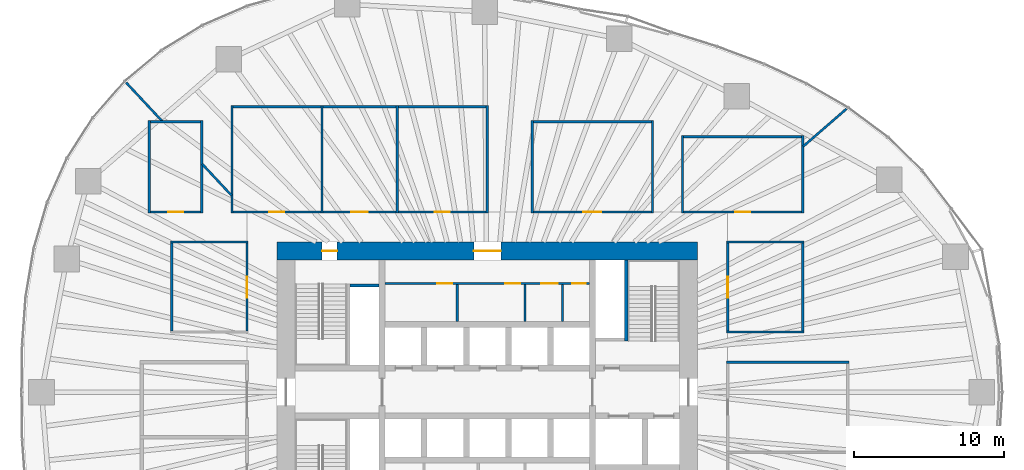
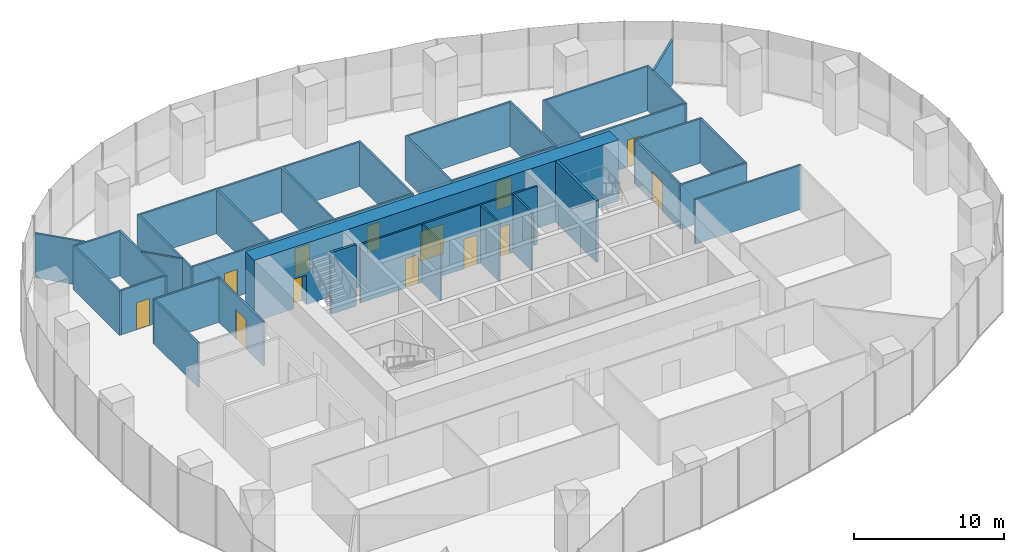
# One storey, part 11 of 20: 40 walls, 14 doors, 14 openings.
"""IFC4 building model written with IfcOpenShell, lengths in metres."""

from ifc_helpers import new_model, si_unit, direction, frame, frame_2d, origin, place, context, subcontext, project, spatial, rectangle, extrude, material, layer, layer_set, type_object, element, fill, save


model = new_model("IFC4")

# Units and contexts
model_context = context("Model", 3, precision=1e-05, world=origin(), true_north=direction((0.0, 1.0)))
body_context = subcontext(model_context, "Body", "Model", "MODEL_VIEW")
ifc_project = project(units=[si_unit("LENGTHUNIT", "METRE"), si_unit("AREAUNIT", "SQUARE_METRE"), si_unit("VOLUMEUNIT", "CUBIC_METRE"), si_unit("PLANEANGLEUNIT", "RADIAN"), si_unit("MASSUNIT", "GRAM", prefix="KILO")], contexts=[model_context])

# Site, building, storey
site_placement = place(None, origin())
site = spatial("IfcSite", under=ifc_project, at=site_placement, CompositionType="ELEMENT")
building_placement = place(site_placement, origin())
building = spatial("IfcBuilding", under=site, at=building_placement, Name="Ghaith Harvest Tower", CompositionType="ELEMENT")
storey_placement = place(building_placement, frame((0.0, 0.0, 80.0)))
storey = spatial("IfcBuildingStorey", under=building, at=storey_placement, Name="L16", CompositionType="ELEMENT", Elevation=80.0)

# Wall, openings, doors
ifc_material_1 = material(Name="Concrete blockwork, fair-faced", Category="masonry")
ifc_layer_1 = layer(ifc_material_1, 0.139892578125)
ifc_layer_set_1 = layer_set([ifc_layer_1], Name="CORE PARTITION 140")
wall_type_1 = type_object("IfcWallType", Name="CORE PARTITION 140", PredefinedType="PARTITIONING", material=ifc_layer_set_1)
wall_1_placement = place(storey_placement, frame((-6.800048828125, 7.22998046875, 0.0), z_axis=(0.0, 0.0, 1.0), x_axis=(1.0, 0.0, 0.0)))
wall_1 = element("IfcWall", 1, at=wall_1_placement, inside=storey, type_object=wall_type_1, Name="Core partition L16", PredefinedType="PARTITIONING", context=body_context, shape_type="SweptSolid", body=[
    extrude(rectangle(XDim=13.60009765625, YDim=0.139892578125, at=frame_2d((6.800048828125, 0.0))), origin(), (0.0, 0.0, 1.0), 4.75),
])
opening_1_placement = place(wall_1_placement, frame((3.47998046875, 0.0, 0.0)))
opening_1 = element("IfcOpeningElement", 2, at=opening_1_placement, cuts=wall_1, Name="Opening 16-008", PredefinedType="OPENING", context=body_context, shape_type="SweptSolid", body=[
    extrude(rectangle(XDim=1.0, YDim=2.39990234375, at=frame_2d((0.5, 1.199951171875))), frame((0.0, 0.080078125, 0.0), z_axis=(0.0, -1.0, 0.0), x_axis=(1.0, 0.0, 0.0)), (0.0, 0.0, 1.0), 0.159912109375),
])
opening_2_placement = place(wall_1_placement, frame((7.97998046875, 0.0, 0.0)))
opening_2 = element("IfcOpeningElement", 3, at=opening_2_placement, cuts=wall_1, Name="Opening 16-009", PredefinedType="OPENING", context=body_context, shape_type="SweptSolid", body=[
    extrude(rectangle(XDim=1.0, YDim=2.39990234375, at=frame_2d((0.5, 1.199951171875))), frame((0.0, 0.080078125, 0.0), z_axis=(0.0, -1.0, 0.0), x_axis=(1.0, 0.0, 0.0)), (0.0, 0.0, 1.0), 0.159912109375),
])
opening_3_placement = place(wall_1_placement, frame((10.3798828125, 0.0, 0.0)))
opening_3 = element("IfcOpeningElement", 4, at=opening_3_placement, cuts=wall_1, Name="Opening 16-010", PredefinedType="OPENING", context=body_context, shape_type="SweptSolid", body=[
    extrude(rectangle(XDim=1.10009765625, YDim=2.39990234375, at=frame_2d((0.550048828125, 1.199951171875))), frame((0.0, 0.080078125, 0.0), z_axis=(0.0, -1.0, 0.0), x_axis=(1.0, 0.0, 0.0)), (0.0, 0.0, 1.0), 0.159912109375),
])
opening_4_placement = place(wall_1_placement, frame((12.449951171875, 0.0, 0.0)))
opening_4 = element("IfcOpeningElement", 5, at=opening_4_placement, cuts=wall_1, Name="Opening 16-011", PredefinedType="OPENING", context=body_context, shape_type="SweptSolid", body=[
    extrude(rectangle(XDim=0.89990234375, YDim=2.39990234375, at=frame_2d((0.449951171875, 1.199951171875))), frame((0.0, 0.080078125, 0.0), z_axis=(0.0, -1.0, 0.0), x_axis=(1.0, 0.0, 0.0)), (0.0, 0.0, 1.0), 0.159912109375),
])
ifc_material_2 = material(Name="Steel fire door", Category="steel")
door_type_1 = type_object("IfcDoorType", Name="D3 FD90 1000x2400", OperationType="SINGLE_SWING_LEFT", PredefinedType="DOOR", material=ifc_material_2)
door_1_placement = place(opening_1_placement, origin())
door_1 = element("IfcDoor", 6, at=door_1_placement, inside=storey, type_object=door_type_1, Name="Male WC door", OperationType="SINGLE_SWING_LEFT", OverallHeight=2.39990234375, OverallWidth=1.0, PredefinedType="DOOR", context=body_context, shape_type="SweptSolid", body=[
    extrude(rectangle(XDim=1.0, YDim=2.39990234375, at=frame_2d((0.5, 1.199951171875))), frame((0.0, 0.02490234375, 0.0), z_axis=(0.0, -1.0, 0.0), x_axis=(1.0, 0.0, 0.0)), (0.0, 0.0, 1.0), 0.050048828125),
])
fill(opening_1, door_1)
door_2_placement = place(opening_2_placement, origin())
door_2 = element("IfcDoor", 7, at=door_2_placement, inside=storey, type_object=door_type_1, Name="Female WC door", OperationType="SINGLE_SWING_RIGHT", OverallHeight=2.39990234375, OverallWidth=1.0, PredefinedType="DOOR", context=body_context, shape_type="SweptSolid", body=[
    extrude(rectangle(XDim=1.0, YDim=2.39990234375, at=frame_2d((0.5, 1.199951171875))), frame((0.0, 0.02490234375, 0.0), z_axis=(0.0, -1.0, 0.0), x_axis=(1.0, 0.0, 0.0)), (0.0, 0.0, 1.0), 0.050048828125),
])
fill(opening_2, door_2)
ifc_material_3 = material(Name="Steel fire door", Category="steel")
door_type_2 = type_object("IfcDoorType", Name="D5 FD90 900x2400", OperationType="SINGLE_SWING_LEFT", PredefinedType="DOOR", material=ifc_material_3)
door_3_placement = place(opening_4_placement, origin())
door_3 = element("IfcDoor", 8, at=door_3_placement, inside=storey, type_object=door_type_2, Name="Cleaner's store door", OperationType="SINGLE_SWING_RIGHT", OverallHeight=2.39990234375, OverallWidth=0.89990234375, PredefinedType="DOOR", context=body_context, shape_type="SweptSolid", body=[
    extrude(rectangle(XDim=0.89990234375, YDim=2.39990234375, at=frame_2d((0.449951171875, 1.199951171875))), frame((0.0, 0.02490234375, 0.0), z_axis=(0.0, -1.0, 0.0), x_axis=(1.0, 0.0, 0.0)), (0.0, 0.0, 1.0), 0.050048828125),
])
fill(opening_4, door_3)
ifc_material_4 = material(Name="Steel fire door", Category="steel")
door_type_3 = type_object("IfcDoorType", Name="D9 FD90 1100x2400", OperationType="SINGLE_SWING_LEFT", PredefinedType="DOOR", material=ifc_material_4)
door_4_placement = place(opening_3_placement, origin())
door_4 = element("IfcDoor", 9, at=door_4_placement, inside=storey, type_object=door_type_3, Name="Accessible WC door", OperationType="SINGLE_SWING_RIGHT", OverallHeight=2.39990234375, OverallWidth=1.10009765625, PredefinedType="DOOR", context=body_context, shape_type="SweptSolid", body=[
    extrude(rectangle(XDim=1.10009765625, YDim=2.39990234375, at=frame_2d((0.550048828125, 1.199951171875))), frame((0.0, 0.02490234375, 0.0), z_axis=(0.0, -1.0, 0.0), x_axis=(1.0, 0.0, 0.0)), (0.0, 0.0, 1.0), 0.050048828125),
])
fill(opening_3, door_4)

# Walls
for number, where, z_axis, x_axis, name in (
    (10, (-2.0, 4.699951171875, 0.0), (0.0, 0.0, 1.0), (0.0, 1.0, 0.0), "Core partition L16"),
    (11, (2.5, 4.699951171875, 0.0), (0.0, 0.0, 1.0), (0.0, 1.0, 0.0), "Core partition L16"),
    (12, (5.0, 4.699951171875, 0.0), (0.0, 0.0, 1.0), (0.0, 1.0, 0.0), "Core partition L16"),
):
    element("IfcWall", number, at=place(storey_placement, frame(where, z_axis=z_axis, x_axis=x_axis)), inside=storey, type_object=wall_type_1, Name=name, PredefinedType="PARTITIONING", context=body_context, shape_type="SweptSolid", body=[
        extrude(rectangle(XDim=2.4599609375, YDim=0.139892578125, at=frame_2d((1.22998046875, 0.0))), origin(), (0.0, 0.0, 1.0), 4.75),
    ])

# Wall, openings, doors
ifc_material_5 = material(Name="Concrete C70/85", Category="concrete")
ifc_layer_2 = layer(ifc_material_5, 1.199951171875)
ifc_layer_set_2 = layer_set([ifc_layer_2], Name="CORE WALL CW1200")
wall_type_2 = type_object("IfcWallType", Name="CORE WALL CW1200", PredefinedType="SHEAR", material=ifc_layer_set_2)
wall_2_placement = place(storey_placement, frame((14.0, 9.39990234375, 0.0), z_axis=(0.0, 0.0, 1.0), x_axis=(-1.0, 0.0, 0.0)))
wall_2 = element("IfcWall", 13, at=wall_2_placement, inside=storey, type_object=wall_type_2, Name="Core wall N L16", PredefinedType="SHEAR", context=body_context, shape_type="SweptSolid", body=[
    extrude(rectangle(XDim=28.0, YDim=1.199951171875, at=frame_2d((14.0, 0.0))), origin(), (0.0, 0.0, 1.0), 5.0),
])
opening_5_placement = place(wall_2_placement, frame((24.0, 0.0, 0.0)))
opening_5 = element("IfcOpeningElement", 14, at=opening_5_placement, cuts=wall_2, Name="Opening 16-005", PredefinedType="OPENING", context=body_context, shape_type="SweptSolid", body=[
    extrude(rectangle(XDim=1.0, YDim=2.39990234375, at=frame_2d((0.5, 1.199951171875))), frame((0.0, 0.60986328125, 0.0), z_axis=(0.0, -1.0, 0.0), x_axis=(1.0, 0.0, 0.0)), (0.0, 0.0, 1.0), 1.219970703125),
])
opening_6_placement = place(wall_2_placement, frame((13.10009765625, 0.0, 0.0)))
opening_6 = element("IfcOpeningElement", 15, at=opening_6_placement, cuts=wall_2, Name="Opening 16-016", PredefinedType="OPENING", context=body_context, shape_type="SweptSolid", body=[
    extrude(rectangle(XDim=1.800048828125, YDim=2.39990234375, at=frame_2d((0.89990234375, 1.199951171875))), frame((0.0, 0.60986328125, 0.0), z_axis=(0.0, -1.0, 0.0), x_axis=(1.0, 0.0, 0.0)), (0.0, 0.0, 1.0), 1.219970703125),
])
door_5_placement = place(opening_5_placement, origin())
door_5 = element("IfcDoor", 16, at=door_5_placement, inside=storey, type_object=door_type_1, Name="Stair ST1 door", OperationType="SINGLE_SWING_RIGHT", OverallHeight=2.39990234375, OverallWidth=1.0, PredefinedType="DOOR", context=body_context, shape_type="SweptSolid", body=[
    extrude(rectangle(XDim=1.0, YDim=2.39990234375, at=frame_2d((0.5, 1.199951171875))), frame((0.0, 0.02490234375, 0.0), z_axis=(0.0, -1.0, 0.0), x_axis=(1.0, 0.0, 0.0)), (0.0, 0.0, 1.0), 0.050048828125),
])
fill(opening_5, door_5)
ifc_material_6 = material(Name="Steel fire door", Category="steel")
door_type_4 = type_object("IfcDoorType", Name="D4 FD90 PAIR 1800x2400", OperationType="DOUBLE_DOOR_SINGLE_SWING", PredefinedType="DOOR", material=ifc_material_6)
door_6_placement = place(opening_6_placement, origin())
door_6 = element("IfcDoor", 17, at=door_6_placement, inside=storey, type_object=door_type_4, Name="Core service corridor doors", OperationType="DOUBLE_DOOR_SINGLE_SWING", OverallHeight=2.39990234375, OverallWidth=1.800048828125, PredefinedType="DOOR", context=body_context, shape_type="SweptSolid", body=[
    extrude(rectangle(XDim=1.800048828125, YDim=2.39990234375, at=frame_2d((0.89990234375, 1.199951171875))), frame((0.0, 0.02490234375, 0.0), z_axis=(0.0, -1.0, 0.0), x_axis=(1.0, 0.0, 0.0)), (0.0, 0.0, 1.0), 0.050048828125),
])
fill(opening_6, door_6)

# Walls
ifc_material_7 = material(Name="Gypsum board on steel studs", Category="steel")
ifc_layer_3 = layer(ifc_material_7, 0.14990234375)
ifc_layer_set_3 = layer_set([ifc_layer_3], Name="PARTITION 150")
wall_type_3 = type_object("IfcWallType", Name="PARTITION 150", PredefinedType="PARTITIONING", material=ifc_layer_set_3)
wall_3_placement = place(storey_placement, frame((15.925048828125, 2.0, 0.0), z_axis=(0.0, 0.0, 1.0), x_axis=(1.0, 0.0, 0.0)))
element("IfcWall", 18, at=wall_3_placement, inside=storey, type_object=wall_type_3, Name="Partition L16 row E3 cross wall 3", PredefinedType="PARTITIONING", context=body_context, shape_type="SweptSolid", body=[
    extrude(rectangle(XDim=8.14990234375, YDim=0.14990234375, at=frame_2d((4.074951171875, 0.0))), origin(), (0.0, 0.0, 1.0), 3.60009765625),
])
for number, where, z_axis, x_axis, name in (
    (19, (-17.0, 11.925048828125, 0.0), (0.0, 0.0, 1.0), (0.0, 1.0, 0.0), "Partition L16 row N4 cross wall 1"),
    (20, (-11.0, 11.925048828125, 0.0), (0.0, 0.0, 1.0), (0.0, 1.0, 0.0), "Partition L16 row N4 cross wall 2"),
    (21, (-6.0, 11.925048828125, 0.0), (0.0, 0.0, 1.0), (0.0, 1.0, 0.0), "Partition L16 row N4 cross wall 3"),
    (22, (0.0, 11.925048828125, 0.0), (0.0, 0.0, 1.0), (0.0, 1.0, 0.0), "Partition L16 row N4 cross wall 4"),
):
    element("IfcWall", number, at=place(storey_placement, frame(where, z_axis=z_axis, x_axis=x_axis)), inside=storey, type_object=wall_type_3, Name=name, PredefinedType="PARTITIONING", context=body_context, shape_type="SweptSolid", body=[
        extrude(rectangle(XDim=7.14990234375, YDim=0.14990234375, at=frame_2d((3.574951171875, 0.0))), origin(), (0.0, 0.0, 1.0), 3.60009765625),
    ])

# Wall, opening, door
wall_4_placement = place(storey_placement, frame((-16.925048828125, 12.0, 0.0), z_axis=(0.0, 0.0, 1.0), x_axis=(1.0, 0.0, 0.0)))
wall_4 = element("IfcWall", 23, at=wall_4_placement, inside=storey, type_object=wall_type_3, Name="Partition L16-07", PredefinedType="PARTITIONING", context=body_context, shape_type="SweptSolid", body=[
    extrude(rectangle(XDim=5.85009765625, YDim=0.14990234375, at=frame_2d((2.925048828125, 0.0))), origin(), (0.0, 0.0, 1.0), 3.60009765625),
])
opening_7_placement = place(wall_4_placement, frame((2.425048828125, 0.0, 0.0)))
opening_7 = element("IfcOpeningElement", 24, at=opening_7_placement, cuts=wall_4, Name="Opening 16-031", PredefinedType="OPENING", context=body_context, shape_type="SweptSolid", body=[
    extrude(rectangle(XDim=1.0, YDim=2.199951171875, at=frame_2d((0.5, 1.10009765625))), frame((0.0, 0.0849609375, 0.0), z_axis=(0.0, -1.0, 0.0), x_axis=(1.0, 0.0, 0.0)), (0.0, 0.0, 1.0), 0.169921875),
])
ifc_material_8 = material(Name="Timber door", Category="wood")
door_type_5 = type_object("IfcDoorType", Name="D1 SINGLE 1000x2200", OperationType="SINGLE_SWING_LEFT", PredefinedType="DOOR", material=ifc_material_8)
door_7_placement = place(opening_7_placement, origin())
door_7 = element("IfcDoor", 25, at=door_7_placement, inside=storey, type_object=door_type_5, Name="Pollination room door", OperationType="SINGLE_SWING_LEFT", OverallHeight=2.199951171875, OverallWidth=1.0, PredefinedType="DOOR", context=body_context, shape_type="SweptSolid", body=[
    extrude(rectangle(XDim=1.0, YDim=2.199951171875, at=frame_2d((0.5, 1.10009765625))), frame((0.0, 0.02490234375, 0.0), z_axis=(0.0, -1.0, 0.0), x_axis=(1.0, 0.0, 0.0)), (0.0, 0.0, 1.0), 0.050048828125),
])
fill(opening_7, door_7)

# Wall
wall_5_placement = place(storey_placement, frame((-16.925048828125, 19.0, 0.0), z_axis=(0.0, 0.0, 1.0), x_axis=(1.0, 0.0, 0.0)))
element("IfcWall", 26, at=wall_5_placement, inside=storey, type_object=wall_type_3, Name="Partition L16-07", PredefinedType="PARTITIONING", context=body_context, shape_type="SweptSolid", body=[
    extrude(rectangle(XDim=5.85009765625, YDim=0.14990234375, at=frame_2d((2.925048828125, 0.0))), origin(), (0.0, 0.0, 1.0), 3.60009765625),
])

# Wall, opening, door
wall_6_placement = place(storey_placement, frame((-10.925048828125, 12.0, 0.0), z_axis=(0.0, 0.0, 1.0), x_axis=(1.0, 0.0, 0.0)))
wall_6 = element("IfcWall", 27, at=wall_6_placement, inside=storey, type_object=wall_type_3, Name="Partition L16-08", PredefinedType="PARTITIONING", context=body_context, shape_type="SweptSolid", body=[
    extrude(rectangle(XDim=4.85009765625, YDim=0.14990234375, at=frame_2d((2.425048828125, 0.0))), origin(), (0.0, 0.0, 1.0), 3.60009765625),
])
opening_8_placement = place(wall_6_placement, frame((1.875, 0.0, 0.0)))
opening_8 = element("IfcOpeningElement", 28, at=opening_8_placement, cuts=wall_6, Name="Opening 16-032", PredefinedType="OPENING", context=body_context, shape_type="SweptSolid", body=[
    extrude(rectangle(XDim=1.10009765625, YDim=2.300048828125, at=frame_2d((0.550048828125, 1.14990234375))), frame((0.0, 0.0849609375, 0.0), z_axis=(0.0, -1.0, 0.0), x_axis=(1.0, 0.0, 0.0)), (0.0, 0.0, 1.0), 0.169921875),
])
ifc_material_9 = material(Name="Timber-framed glazed door", Category="wood")
door_type_6 = type_object("IfcDoorType", Name="D12 GLAZED OFFICE 1100x2300", OperationType="SINGLE_SWING_LEFT", PredefinedType="DOOR", material=ifc_material_9)
door_8_placement = place(opening_8_placement, origin())
door_8 = element("IfcDoor", 29, at=door_8_placement, inside=storey, type_object=door_type_6, Name="Crop office door", OperationType="SINGLE_SWING_LEFT", OverallHeight=2.300048828125, OverallWidth=1.10009765625, PredefinedType="DOOR", context=body_context, shape_type="SweptSolid", body=[
    extrude(rectangle(XDim=1.10009765625, YDim=2.300048828125, at=frame_2d((0.550048828125, 1.14990234375))), frame((0.0, 0.02490234375, 0.0), z_axis=(0.0, -1.0, 0.0), x_axis=(1.0, 0.0, 0.0)), (0.0, 0.0, 1.0), 0.050048828125),
])
fill(opening_8, door_8)

# Wall
wall_7_placement = place(storey_placement, frame((-10.925048828125, 19.0, 0.0), z_axis=(0.0, 0.0, 1.0), x_axis=(1.0, 0.0, 0.0)))
element("IfcWall", 30, at=wall_7_placement, inside=storey, type_object=wall_type_3, Name="Partition L16-08", PredefinedType="PARTITIONING", context=body_context, shape_type="SweptSolid", body=[
    extrude(rectangle(XDim=4.85009765625, YDim=0.14990234375, at=frame_2d((2.425048828125, 0.0))), origin(), (0.0, 0.0, 1.0), 3.60009765625),
])

# Wall, opening, door
wall_8_placement = place(storey_placement, frame((-5.925048828125, 12.0, 0.0), z_axis=(0.0, 0.0, 1.0), x_axis=(1.0, 0.0, 0.0)))
wall_8 = element("IfcWall", 31, at=wall_8_placement, inside=storey, type_object=wall_type_3, Name="Partition L16-09", PredefinedType="PARTITIONING", context=body_context, shape_type="SweptSolid", body=[
    extrude(rectangle(XDim=5.85009765625, YDim=0.14990234375, at=frame_2d((2.925048828125, 0.0))), origin(), (0.0, 0.0, 1.0), 3.60009765625),
])
opening_9_placement = place(wall_8_placement, frame((2.425048828125, 0.0, 0.0)))
opening_9 = element("IfcOpeningElement", 32, at=opening_9_placement, cuts=wall_8, Name="Opening 16-033", PredefinedType="OPENING", context=body_context, shape_type="SweptSolid", body=[
    extrude(rectangle(XDim=1.0, YDim=2.199951171875, at=frame_2d((0.5, 1.10009765625))), frame((0.0, 0.0849609375, 0.0), z_axis=(0.0, -1.0, 0.0), x_axis=(1.0, 0.0, 0.0)), (0.0, 0.0, 1.0), 0.169921875),
])
door_9_placement = place(opening_9_placement, origin())
door_9 = element("IfcDoor", 33, at=door_9_placement, inside=storey, type_object=door_type_5, Name="Staff room door", OperationType="SINGLE_SWING_LEFT", OverallHeight=2.199951171875, OverallWidth=1.0, PredefinedType="DOOR", context=body_context, shape_type="SweptSolid", body=[
    extrude(rectangle(XDim=1.0, YDim=2.199951171875, at=frame_2d((0.5, 1.10009765625))), frame((0.0, 0.02490234375, 0.0), z_axis=(0.0, -1.0, 0.0), x_axis=(1.0, 0.0, 0.0)), (0.0, 0.0, 1.0), 0.050048828125),
])
fill(opening_9, door_9)

# Walls
wall_9_placement = place(storey_placement, frame((-5.925048828125, 19.0, 0.0), z_axis=(0.0, 0.0, 1.0), x_axis=(1.0, 0.0, 0.0)))
element("IfcWall", 34, at=wall_9_placement, inside=storey, type_object=wall_type_3, Name="Partition L16-09", PredefinedType="PARTITIONING", context=body_context, shape_type="SweptSolid", body=[
    extrude(rectangle(XDim=5.85009765625, YDim=0.14990234375, at=frame_2d((2.925048828125, 0.0))), origin(), (0.0, 0.0, 1.0), 3.60009765625),
])
for number, where, z_axis, x_axis, name in (
    (35, (3.0, 11.925048828125, 0.0), (0.0, 0.0, 1.0), (0.0, 1.0, 0.0), "Partition L16 row N5 cross wall 1"),
    (36, (11.0, 11.925048828125, 0.0), (0.0, 0.0, 1.0), (0.0, 1.0, 0.0), "Partition L16 row N5 cross wall 2"),
):
    element("IfcWall", number, at=place(storey_placement, frame(where, z_axis=z_axis, x_axis=x_axis)), inside=storey, type_object=wall_type_3, Name=name, PredefinedType="PARTITIONING", context=body_context, shape_type="SweptSolid", body=[
        extrude(rectangle(XDim=6.14990234375, YDim=0.14990234375, at=frame_2d((3.074951171875, 0.0))), origin(), (0.0, 0.0, 1.0), 3.60009765625),
    ])

# Wall, opening, door
wall_10_placement = place(storey_placement, frame((3.074951171875, 12.0, 0.0), z_axis=(0.0, 0.0, 1.0), x_axis=(1.0, 0.0, 0.0)))
wall_10 = element("IfcWall", 37, at=wall_10_placement, inside=storey, type_object=wall_type_3, Name="Partition L16-10", PredefinedType="PARTITIONING", context=body_context, shape_type="SweptSolid", body=[
    extrude(rectangle(XDim=7.85009765625, YDim=0.14990234375, at=frame_2d((3.925048828125, 0.0))), origin(), (0.0, 0.0, 1.0), 3.60009765625),
])
opening_10_placement = place(wall_10_placement, frame((3.324951171875, 0.0, 0.0)))
opening_10 = element("IfcOpeningElement", 38, at=opening_10_placement, cuts=wall_10, Name="Opening 16-034", PredefinedType="OPENING", context=body_context, shape_type="SweptSolid", body=[
    extrude(rectangle(XDim=1.199951171875, YDim=2.300048828125, at=frame_2d((0.60009765625, 1.14990234375))), frame((0.0, 0.0849609375, 0.0), z_axis=(0.0, -1.0, 0.0), x_axis=(1.0, 0.0, 0.0)), (0.0, 0.0, 1.0), 0.169921875),
])
ifc_material_10 = material(Name="Timber door with vision panel", Category="wood")
door_type_7 = type_object("IfcDoorType", Name="D15 LABORATORY 1200x2300", OperationType="SINGLE_SWING_LEFT", PredefinedType="DOOR", material=ifc_material_10)
door_10_placement = place(opening_10_placement, origin())
door_10 = element("IfcDoor", 39, at=door_10_placement, inside=storey, type_object=door_type_7, Name="Quality laboratory door", OperationType="SINGLE_SWING_LEFT", OverallHeight=2.300048828125, OverallWidth=1.199951171875, PredefinedType="DOOR", context=body_context, shape_type="SweptSolid", body=[
    extrude(rectangle(XDim=1.199951171875, YDim=2.300048828125, at=frame_2d((0.60009765625, 1.14990234375))), frame((0.0, 0.02490234375, 0.0), z_axis=(0.0, -1.0, 0.0), x_axis=(1.0, 0.0, 0.0)), (0.0, 0.0, 1.0), 0.050048828125),
])
fill(opening_10, door_10)

# Walls
wall_11_placement = place(storey_placement, frame((3.074951171875, 18.0, 0.0), z_axis=(0.0, 0.0, 1.0), x_axis=(1.0, 0.0, 0.0)))
element("IfcWall", 40, at=wall_11_placement, inside=storey, type_object=wall_type_3, Name="Partition L16-10", PredefinedType="PARTITIONING", context=body_context, shape_type="SweptSolid", body=[
    extrude(rectangle(XDim=7.85009765625, YDim=0.14990234375, at=frame_2d((3.925048828125, 0.0))), origin(), (0.0, 0.0, 1.0), 3.60009765625),
])
for number, where, z_axis, x_axis, name in (
    (41, (13.0, 11.925048828125, 0.0), (0.0, 0.0, 1.0), (0.0, 1.0, 0.0), "Partition L16 row N7 cross wall 1"),
    (42, (21.0, 11.925048828125, 0.0), (0.0, 0.0, 1.0), (0.0, 1.0, 0.0), "Partition L16 row N7 cross wall 2"),
):
    element("IfcWall", number, at=place(storey_placement, frame(where, z_axis=z_axis, x_axis=x_axis)), inside=storey, type_object=wall_type_3, Name=name, PredefinedType="PARTITIONING", context=body_context, shape_type="SweptSolid", body=[
        extrude(rectangle(XDim=5.14990234375, YDim=0.14990234375, at=frame_2d((2.574951171875, 0.0))), origin(), (0.0, 0.0, 1.0), 3.60009765625),
    ])

# Wall, opening, door
wall_12_placement = place(storey_placement, frame((13.074951171875, 12.0, 0.0), z_axis=(0.0, 0.0, 1.0), x_axis=(1.0, 0.0, 0.0)))
wall_12 = element("IfcWall", 43, at=wall_12_placement, inside=storey, type_object=wall_type_3, Name="Partition L16-13", PredefinedType="PARTITIONING", context=body_context, shape_type="SweptSolid", body=[
    extrude(rectangle(XDim=7.85009765625, YDim=0.14990234375, at=frame_2d((3.925048828125, 0.0))), origin(), (0.0, 0.0, 1.0), 3.60009765625),
])
opening_11_placement = place(wall_12_placement, frame((3.425048828125, 0.0, 0.0)))
opening_11 = element("IfcOpeningElement", 44, at=opening_11_placement, cuts=wall_12, Name="Opening 16-037", PredefinedType="OPENING", context=body_context, shape_type="SweptSolid", body=[
    extrude(rectangle(XDim=1.0, YDim=2.199951171875, at=frame_2d((0.5, 1.10009765625))), frame((0.0, 0.0849609375, 0.0), z_axis=(0.0, -1.0, 0.0), x_axis=(1.0, 0.0, 0.0)), (0.0, 0.0, 1.0), 0.169921875),
])
door_11_placement = place(opening_11_placement, origin())
door_11 = element("IfcDoor", 45, at=door_11_placement, inside=storey, type_object=door_type_5, Name="Seedling room door", OperationType="SINGLE_SWING_LEFT", OverallHeight=2.199951171875, OverallWidth=1.0, PredefinedType="DOOR", context=body_context, shape_type="SweptSolid", body=[
    extrude(rectangle(XDim=1.0, YDim=2.199951171875, at=frame_2d((0.5, 1.10009765625))), frame((0.0, 0.02490234375, 0.0), z_axis=(0.0, -1.0, 0.0), x_axis=(1.0, 0.0, 0.0)), (0.0, 0.0, 1.0), 0.050048828125),
])
fill(opening_11, door_11)

# Walls
wall_13_placement = place(storey_placement, frame((13.074951171875, 17.0, 0.0), z_axis=(0.0, 0.0, 1.0), x_axis=(1.0, 0.0, 0.0)))
element("IfcWall", 46, at=wall_13_placement, inside=storey, type_object=wall_type_3, Name="Partition L16-13", PredefinedType="PARTITIONING", context=body_context, shape_type="SweptSolid", body=[
    extrude(rectangle(XDim=7.85009765625, YDim=0.14990234375, at=frame_2d((3.925048828125, 0.0))), origin(), (0.0, 0.0, 1.0), 3.60009765625),
])
for number, where, z_axis, x_axis, name in (
    (47, (-22.5, 11.925048828125, 0.0), (0.0, 0.0, 1.0), (0.0, 1.0, 0.0), "Partition L16 row N8 cross wall 1"),
    (48, (-19.0, 11.925048828125, 0.0), (0.0, 0.0, 1.0), (0.0, 1.0, 0.0), "Partition L16 row N8 cross wall 2"),
):
    element("IfcWall", number, at=place(storey_placement, frame(where, z_axis=z_axis, x_axis=x_axis)), inside=storey, type_object=wall_type_3, Name=name, PredefinedType="PARTITIONING", context=body_context, shape_type="SweptSolid", body=[
        extrude(rectangle(XDim=6.14990234375, YDim=0.14990234375, at=frame_2d((3.074951171875, 0.0))), origin(), (0.0, 0.0, 1.0), 3.60009765625),
    ])

# Wall, opening, door
wall_14_placement = place(storey_placement, frame((-22.425048828125, 12.0, 0.0), z_axis=(0.0, 0.0, 1.0), x_axis=(1.0, 0.0, 0.0)))
wall_14 = element("IfcWall", 49, at=wall_14_placement, inside=storey, type_object=wall_type_3, Name="Partition L16-14", PredefinedType="PARTITIONING", context=body_context, shape_type="SweptSolid", body=[
    extrude(rectangle(XDim=3.35009765625, YDim=0.14990234375, at=frame_2d((1.675048828125, 0.0))), origin(), (0.0, 0.0, 1.0), 3.60009765625),
])
opening_12_placement = place(wall_14_placement, frame((1.175048828125, 0.0, 0.0)))
opening_12 = element("IfcOpeningElement", 50, at=opening_12_placement, cuts=wall_14, Name="Opening 16-038", PredefinedType="OPENING", context=body_context, shape_type="SweptSolid", body=[
    extrude(rectangle(XDim=1.0, YDim=2.199951171875, at=frame_2d((0.5, 1.10009765625))), frame((0.0, 0.0849609375, 0.0), z_axis=(0.0, -1.0, 0.0), x_axis=(1.0, 0.0, 0.0)), (0.0, 0.0, 1.0), 0.169921875),
])
door_12_placement = place(opening_12_placement, origin())
door_12 = element("IfcDoor", 51, at=door_12_placement, inside=storey, type_object=door_type_5, Name="Store door", OperationType="SINGLE_SWING_LEFT", OverallHeight=2.199951171875, OverallWidth=1.0, PredefinedType="DOOR", context=body_context, shape_type="SweptSolid", body=[
    extrude(rectangle(XDim=1.0, YDim=2.199951171875, at=frame_2d((0.5, 1.10009765625))), frame((0.0, 0.02490234375, 0.0), z_axis=(0.0, -1.0, 0.0), x_axis=(1.0, 0.0, 0.0)), (0.0, 0.0, 1.0), 0.050048828125),
])
fill(opening_12, door_12)

# Walls
wall_15_placement = place(storey_placement, frame((-22.425048828125, 18.0, 0.0), z_axis=(0.0, 0.0, 1.0), x_axis=(1.0, 0.0, 0.0)))
element("IfcWall", 52, at=wall_15_placement, inside=storey, type_object=wall_type_3, Name="Partition L16-14", PredefinedType="PARTITIONING", context=body_context, shape_type="SweptSolid", body=[
    extrude(rectangle(XDim=3.35009765625, YDim=0.14990234375, at=frame_2d((1.675048828125, 0.0))), origin(), (0.0, 0.0, 1.0), 3.60009765625),
])
for number, where, z_axis, x_axis, name in (
    (53, (15.925048828125, 4.0, 0.0), (0.0, 0.0, 1.0), (1.0, 0.0, 0.0), "Partition L16 row E9 cross wall 1"),
    (54, (15.925048828125, 10.0, 0.0), (0.0, 0.0, 1.0), (1.0, 0.0, 0.0), "Partition L16 row E9 cross wall 2"),
):
    element("IfcWall", number, at=place(storey_placement, frame(where, z_axis=z_axis, x_axis=x_axis)), inside=storey, type_object=wall_type_3, Name=name, PredefinedType="PARTITIONING", context=body_context, shape_type="SweptSolid", body=[
        extrude(rectangle(XDim=5.14990234375, YDim=0.14990234375, at=frame_2d((2.574951171875, 0.0))), origin(), (0.0, 0.0, 1.0), 3.60009765625),
    ])

# Wall, opening, door
wall_16_placement = place(storey_placement, frame((16.0, 4.074951171875, 0.0), z_axis=(0.0, 0.0, 1.0), x_axis=(0.0, 1.0, 0.0)))
wall_16 = element("IfcWall", 55, at=wall_16_placement, inside=storey, type_object=wall_type_3, Name="Partition L16-15", PredefinedType="PARTITIONING", context=body_context, shape_type="SweptSolid", body=[
    extrude(rectangle(XDim=5.85009765625, YDim=0.14990234375, at=frame_2d((2.925048828125, 0.0))), origin(), (0.0, 0.0, 1.0), 3.60009765625),
])
opening_13_placement = place(wall_16_placement, frame((2.22509765625, 0.0, 0.0)))
opening_13 = element("IfcOpeningElement", 56, at=opening_13_placement, cuts=wall_16, Name="Opening 16-039", PredefinedType="OPENING", context=body_context, shape_type="SweptSolid", body=[
    extrude(rectangle(XDim=1.39990234375, YDim=2.39990234375, at=frame_2d((0.699951171875, 1.199951171875))), frame((0.0, 0.0849609375, 0.0), z_axis=(0.0, -1.0, 0.0), x_axis=(1.0, 0.0, 0.0)), (0.0, 0.0, 1.0), 0.169921875),
])
ifc_material_11 = material(Name="Stainless steel faced door pair", Category="steel")
door_type_8 = type_object("IfcDoorType", Name="D14 HYGIENE PAIR 1400x2400", OperationType="DOUBLE_DOOR_DOUBLE_SWING", PredefinedType="DOOR", material=ifc_material_11)
door_13_placement = place(opening_13_placement, origin())
door_13 = element("IfcDoor", 57, at=door_13_placement, inside=storey, type_object=door_type_8, Name="Dispatch store door", OperationType="DOUBLE_DOOR_DOUBLE_SWING", OverallHeight=2.39990234375, OverallWidth=1.39990234375, PredefinedType="DOOR", context=body_context, shape_type="SweptSolid", body=[
    extrude(rectangle(XDim=1.39990234375, YDim=2.39990234375, at=frame_2d((0.699951171875, 1.199951171875))), frame((0.0, 0.02490234375, 0.0), z_axis=(0.0, -1.0, 0.0), x_axis=(1.0, 0.0, 0.0)), (0.0, 0.0, 1.0), 0.050048828125),
])
fill(opening_13, door_13)

# Walls
wall_17_placement = place(storey_placement, frame((21.0, 4.074951171875, 0.0), z_axis=(0.0, 0.0, 1.0), x_axis=(0.0, 1.0, 0.0)))
element("IfcWall", 58, at=wall_17_placement, inside=storey, type_object=wall_type_3, Name="Partition L16-15", PredefinedType="PARTITIONING", context=body_context, shape_type="SweptSolid", body=[
    extrude(rectangle(XDim=5.85009765625, YDim=0.14990234375, at=frame_2d((2.925048828125, 0.0))), origin(), (0.0, 0.0, 1.0), 3.60009765625),
])
wall_18_placement = place(storey_placement, frame((-15.925048828125, 10.0, 0.0), z_axis=(0.0, 0.0, 1.0), x_axis=(-1.0, 0.0, 0.0)))
element("IfcWall", 59, at=wall_18_placement, inside=storey, type_object=wall_type_3, Name="Partition L16 row W10 cross wall 2", PredefinedType="PARTITIONING", context=body_context, shape_type="SweptSolid", body=[
    extrude(rectangle(XDim=5.14990234375, YDim=0.14990234375, at=frame_2d((2.574951171875, 0.0))), origin(), (0.0, 0.0, 1.0), 3.60009765625),
])

# Wall, opening, door
wall_19_placement = place(storey_placement, frame((-16.0, 4.074951171875, 0.0), z_axis=(0.0, 0.0, 1.0), x_axis=(0.0, 1.0, 0.0)))
wall_19 = element("IfcWall", 60, at=wall_19_placement, inside=storey, type_object=wall_type_3, Name="Partition L16-16", PredefinedType="PARTITIONING", context=body_context, shape_type="SweptSolid", body=[
    extrude(rectangle(XDim=5.85009765625, YDim=0.14990234375, at=frame_2d((2.925048828125, 0.0))), origin(), (0.0, 0.0, 1.0), 3.60009765625),
])
opening_14_placement = place(wall_19_placement, frame((2.22509765625, 0.0, 0.0)))
opening_14 = element("IfcOpeningElement", 61, at=opening_14_placement, cuts=wall_19, Name="Opening 16-040", PredefinedType="OPENING", context=body_context, shape_type="SweptSolid", body=[
    extrude(rectangle(XDim=1.39990234375, YDim=2.39990234375, at=frame_2d((0.699951171875, 1.199951171875))), frame((0.0, 0.0849609375, 0.0), z_axis=(0.0, -1.0, 0.0), x_axis=(1.0, 0.0, 0.0)), (0.0, 0.0, 1.0), 0.169921875),
])
door_14_placement = place(opening_14_placement, origin())
door_14 = element("IfcDoor", 62, at=door_14_placement, inside=storey, type_object=door_type_8, Name="Tray wash room door", OperationType="DOUBLE_DOOR_DOUBLE_SWING", OverallHeight=2.39990234375, OverallWidth=1.39990234375, PredefinedType="DOOR", context=body_context, shape_type="SweptSolid", body=[
    extrude(rectangle(XDim=1.39990234375, YDim=2.39990234375, at=frame_2d((0.699951171875, 1.199951171875))), frame((0.0, 0.02490234375, 0.0), z_axis=(0.0, -1.0, 0.0), x_axis=(1.0, 0.0, 0.0)), (0.0, 0.0, 1.0), 0.050048828125),
])
fill(opening_14, door_14)

# Walls
wall_20_placement = place(storey_placement, frame((-21.0, 4.074951171875, 0.0), z_axis=(0.0, 0.0, 1.0), x_axis=(0.0, 1.0, 0.0)))
element("IfcWall", 63, at=wall_20_placement, inside=storey, type_object=wall_type_3, Name="Partition L16-16", PredefinedType="PARTITIONING", context=body_context, shape_type="SweptSolid", body=[
    extrude(rectangle(XDim=5.85009765625, YDim=0.14990234375, at=frame_2d((2.925048828125, 0.0))), origin(), (0.0, 0.0, 1.0), 3.60009765625),
])
wall_21_placement = place(storey_placement, frame((-21.621826171875, 18.02001953125, 0.0), z_axis=(0.0, 0.0, 1.0), x_axis=(-0.682522451791, 0.730864626864, 0.0)))
element("IfcWall", 64, at=wall_21_placement, inside=storey, type_object=wall_type_3, Name="Partition L16 zone division", PredefinedType="PARTITIONING", context=body_context, shape_type="SweptSolid", body=[
    extrude(rectangle(XDim=3.53515625, YDim=0.14990234375, at=frame_2d((1.767578125, 0.0))), origin(), (0.0, 0.0, 1.0), 3.60009765625),
])
wall_22_placement = place(storey_placement, frame((-17.02001953125, 13.09228515625, 0.0), z_axis=(0.0, 0.0, 1.0), x_axis=(-0.682506029746, 0.730879962347, 0.0)))
element("IfcWall", 65, at=wall_22_placement, inside=storey, type_object=wall_type_3, Name="Partition L16 zone division", PredefinedType="PARTITIONING", context=body_context, shape_type="SweptSolid", body=[
    extrude(rectangle(XDim=2.871826171875, YDim=0.14990234375, at=frame_2d((1.43603515625, 0.0))), origin(), (0.0, 0.0, 1.0), 3.60009765625),
])
wall_23_placement = place(storey_placement, frame((21.02001953125, 16.35400390625, 0.0), z_axis=(0.0, 0.0, 1.0), x_axis=(0.755425653008, 0.655234372402, 0.0)))
element("IfcWall", 66, at=wall_23_placement, inside=storey, type_object=wall_type_3, Name="Partition L16 zone division", PredefinedType="PARTITIONING", context=body_context, shape_type="SweptSolid", body=[
    extrude(rectangle(XDim=3.8232421875, YDim=0.14990234375, at=frame_2d((1.91162109375, 0.0))), origin(), (0.0, 0.0, 1.0), 3.60009765625),
])
ifc_material_12 = material(Name="Concrete C40/50", Category="concrete")
ifc_layer_4 = layer(ifc_material_12, 0.199951171875)
ifc_layer_set_4 = layer_set([ifc_layer_4], Name="STAIR SPINE WALL RC200")
wall_type_4 = type_object("IfcWallType", Name="STAIR SPINE WALL RC200", PredefinedType="SOLIDWALL", material=ifc_layer_set_4)
wall_24_placement = place(storey_placement, frame((-9.14990234375, 7.10009765625, 0.0), z_axis=(0.0, 0.0, 1.0), x_axis=(1.0, 0.0, 0.0)))
element("IfcWall", 67, at=wall_24_placement, inside=storey, type_object=wall_type_4, Name="Stair ST1 spine wall return L16", PredefinedType="SOLIDWALL", context=body_context, shape_type="SweptSolid", body=[
    extrude(rectangle(XDim=1.949951171875, YDim=0.199951171875, at=frame_2d((0.97509765625, 0.0))), origin(), (0.0, 0.0, 1.0), 5.0),
])
wall_25_placement = place(storey_placement, frame((9.25, 3.39990234375, 0.0), z_axis=(0.0, 0.0, 1.0), x_axis=(0.0, 1.0, 0.0)))
element("IfcWall", 68, at=wall_25_placement, inside=storey, type_object=wall_type_4, Name="Stair ST2 spine wall L16", PredefinedType="SOLIDWALL", context=body_context, shape_type="SweptSolid", body=[
    extrude(rectangle(XDim=5.400146484375, YDim=0.199951171875, at=frame_2d((2.7001953125, 0.0))), origin(), (0.0, 0.0, 1.0), 5.0),
])

save(model, "model.ifc")
